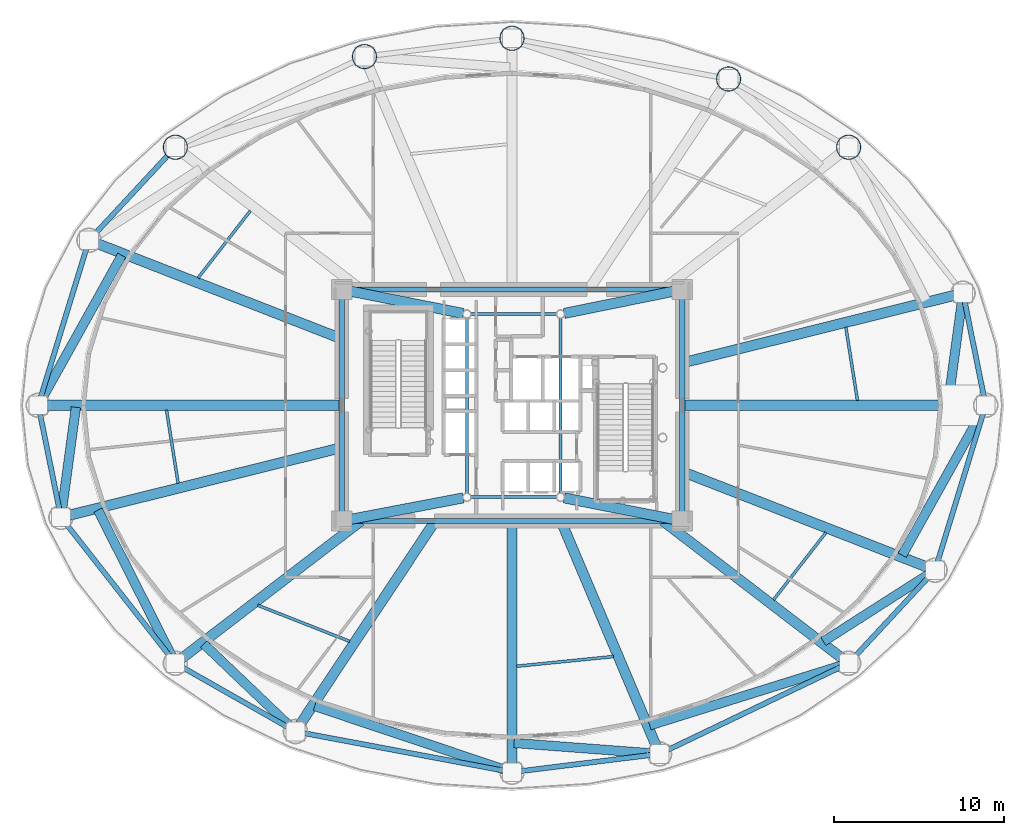
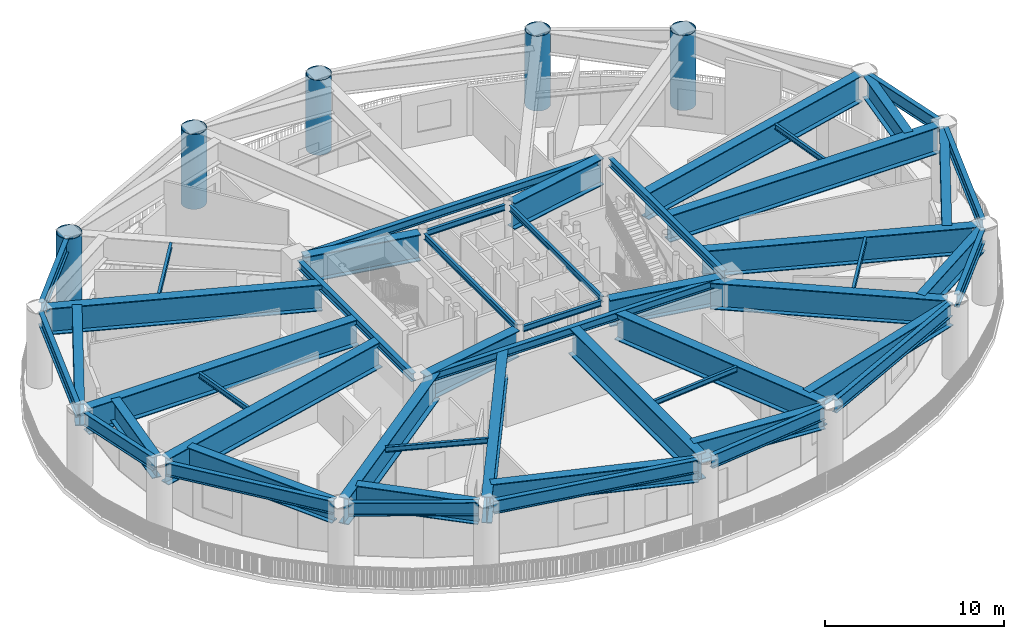
# One storey, part 3 of 15: 50 beams, 5 columns.
"""IFC4 building model written with IfcOpenShell, lengths in metres."""

from ifc_helpers import new_model, si_unit, direction, frame, origin, origin_2d, place, context, subcontext, project, spatial, hollow_circle, i_section, extrude, material, material_profile, profile_set, type_object, element, save


model = new_model("IFC4")

# Units and contexts
model_context = context("Model", 3, precision=1e-05, world=origin(), true_north=direction((0.0, 1.0)))
body_context = subcontext(model_context, "Body", "Model", "MODEL_VIEW")
ifc_project = project(units=[si_unit("LENGTHUNIT", "METRE"), si_unit("AREAUNIT", "SQUARE_METRE"), si_unit("VOLUMEUNIT", "CUBIC_METRE"), si_unit("PLANEANGLEUNIT", "RADIAN"), si_unit("MASSUNIT", "GRAM", prefix="KILO")], contexts=[model_context])

# Site, building, storey
site_placement = place(None, origin())
site = spatial("IfcSite", under=ifc_project, at=site_placement, CompositionType="ELEMENT")
building_placement = place(site_placement, origin())
building = spatial("IfcBuilding", under=site, at=building_placement, Name="Linh Dai School and Residence Tower", CompositionType="ELEMENT")
storey_placement = place(building_placement, frame((0.0, 0.0, 145.949951171875)))
storey = spatial("IfcBuildingStorey", under=building, at=storey_placement, Name="L35", CompositionType="ELEMENT", Elevation=145.949951171875)

# Columns
ifc_material = material(Name="Structural Steel S355JR", Category="steel")
ifc_material_profile_1 = material_profile(ifc_material, hollow_circle(Radius=0.72509765625, WallThickness=0.0419921875, at=origin_2d()), Name="CHS 1450x42")
ifc_profile_set_1 = profile_set([ifc_material_profile_1], Name="Structural Steel S355JR")
column_type = type_object("IfcColumnType", Name="COL-MC3", PredefinedType="COLUMN", material=ifc_profile_set_1)
for number, where, z_axis, x_axis, name in (
    (1, (55.772705078125, 42.155517578125, 0.0), (0.0, 0.0, 1.0), (1.0, 0.0, 0.0), "L35 Perimeter CFT Mega-Column MC03"),
    (2, (48.721923828125, 46.1650390625, 0.0), (0.0, 0.0, 1.0), (1.0, 0.0, 0.0), "L35 Perimeter CFT Mega-Column MC04"),
    (3, (36.0, 48.554931640625, 0.0), (0.0, 0.0, 1.0), (1.0, 0.0, 0.0), "L35 Perimeter CFT Mega-Column MC05"),
    (4, (27.33447265625, 47.480712890625, 0.0), (0.0, 0.0, 1.0), (1.0, 0.0, 0.0), "L35 Perimeter CFT Mega-Column MC06"),
    (5, (16.227294921875, 42.155517578125, 0.0), (0.0, 0.0, 1.0), (1.0, 0.0, 0.0), "L35 Perimeter CFT Mega-Column MC07"),
):
    element("IfcColumn", number, at=place(storey_placement, frame(where, z_axis=z_axis, x_axis=x_axis)), inside=storey, type_object=column_type, Name=name, PredefinedType="COLUMN", context=body_context, shape_type="SweptSolid", body=[
        extrude(hollow_circle(Radius=0.72509765625, WallThickness=0.0419921875, at=origin_2d()), origin(), (0.0, 0.0, 1.0), 5.10009765625),
    ])

# Beams
ifc_material_profile_2 = material_profile(ifc_material, i_section(OverallWidth=0.300048828125, OverallDepth=0.550048828125, WebThickness=0.014892578125, FlangeThickness=0.029052734375, FilletRadius=0.027099609375, at=origin_2d()), Name="HEB 550")
ifc_profile_set_2 = profile_set([ifc_material_profile_2], Name="Structural Steel S355JR")
beam_type_1 = type_object("IfcBeamType", Name="BM-RG55", PredefinedType="BEAM", material=ifc_profile_set_2)
beam_1_placement = place(storey_placement, frame((26.419921875, 20.199951171875, 4.824951171875), z_axis=(1.0, 0.0, 0.0), x_axis=(0.0, 1.0, 0.0)))
element("IfcBeam", 6, at=beam_1_placement, inside=storey, type_object=beam_type_1, Name="L35 Core Perimeter Coupling Girder 1", PredefinedType="BEAM", context=body_context, shape_type="SweptSolid", body=[
    extrude(i_section(OverallWidth=0.300048828125, OverallDepth=0.550048828125, WebThickness=0.014892578125, FlangeThickness=0.029052734375, FilletRadius=0.027099609375, at=origin_2d()), origin(), (0.0, 0.0, 1.0), 19.16015625),
])
beam_2_placement = place(storey_placement, frame((46.0, 20.6201171875, 4.824951171875), z_axis=(0.0, 1.0, 0.0), x_axis=(-1.0, 0.0, 0.0)))
element("IfcBeam", 7, at=beam_2_placement, inside=storey, type_object=beam_type_1, Name="L35 Core Perimeter Coupling Girder 2", PredefinedType="BEAM", context=body_context, shape_type="SweptSolid", body=[
    extrude(i_section(OverallWidth=0.300048828125, OverallDepth=0.550048828125, WebThickness=0.014892578125, FlangeThickness=0.029052734375, FilletRadius=0.027099609375, at=origin_2d()), origin(), (0.0, 0.0, 1.0), 12.759765625),
])
beam_3_placement = place(storey_placement, frame((45.580078125, 33.800048828125, 4.824951171875), z_axis=(-1.0, 0.0, 0.0), x_axis=(0.0, -1.0, 0.0)))
element("IfcBeam", 8, at=beam_3_placement, inside=storey, type_object=beam_type_1, Name="L35 Core Perimeter Coupling Girder 3", PredefinedType="BEAM", context=body_context, shape_type="SweptSolid", body=[
    extrude(i_section(OverallWidth=0.300048828125, OverallDepth=0.550048828125, WebThickness=0.014892578125, FlangeThickness=0.029052734375, FilletRadius=0.027099609375, at=origin_2d()), origin(), (0.0, 0.0, 1.0), 19.16015625),
])
beam_4_placement = place(storey_placement, frame((26.0, 33.3798828125, 4.824951171875), z_axis=(0.0, -1.0, 0.0), x_axis=(1.0, 0.0, 0.0)))
element("IfcBeam", 9, at=beam_4_placement, inside=storey, type_object=beam_type_1, Name="L35 Core Perimeter Coupling Girder 4", PredefinedType="BEAM", context=body_context, shape_type="SweptSolid", body=[
    extrude(i_section(OverallWidth=0.300048828125, OverallDepth=0.550048828125, WebThickness=0.014892578125, FlangeThickness=0.029052734375, FilletRadius=0.027099609375, at=origin_2d()), origin(), (0.0, 0.0, 1.0), 12.759765625),
])
ifc_material_profile_3 = material_profile(ifc_material, i_section(OverallWidth=0.300048828125, OverallDepth=0.89990234375, WebThickness=0.0185546875, FlangeThickness=0.034912109375, FilletRadius=0.030029296875, at=origin_2d()), Name="HEB 900")
ifc_profile_set_3 = profile_set([ifc_material_profile_3], Name="Structural Steel S355JR")
beam_type_2 = type_object("IfcBeamType", Name="BM-RG9", PredefinedType="BEAM", material=ifc_profile_set_3)
beam_5_placement = place(storey_placement, frame((63.74169921875, 27.41162109375, 4.650146484375), z_axis=(-0.198441254313, 0.980112783605, 0.0), x_axis=(-0.980112783605, -0.198441254313, 0.0)))
element("IfcBeam", 10, at=beam_5_placement, inside=storey, type_object=beam_type_2, Name="L35 Perimeter Elliptical Ring Beam 01", PredefinedType="BEAM", context=body_context, shape_type="SweptSolid", body=[
    extrude(i_section(OverallWidth=0.300048828125, OverallDepth=0.89990234375, WebThickness=0.0185546875, FlangeThickness=0.034912109375, FilletRadius=0.030029296875, at=origin_2d()), origin(), (0.0, 0.0, 1.0), 5.874755859375),
])
beam_6_placement = place(storey_placement, frame((15.941650390625, 41.84765625, 4.650146484375), z_axis=(-0.680384623752, -0.732855213369, 0.0), x_axis=(0.732855213369, -0.680384623752, 0.0)))
element("IfcBeam", 11, at=beam_6_placement, inside=storey, type_object=beam_type_2, Name="L35 Perimeter Elliptical Ring Beam 07", PredefinedType="BEAM", context=body_context, shape_type="SweptSolid", body=[
    extrude(i_section(OverallWidth=0.300048828125, OverallDepth=0.89990234375, WebThickness=0.0185546875, FlangeThickness=0.034912109375, FilletRadius=0.030029296875, at=origin_2d()), origin(), (0.0, 0.0, 1.0), 6.62109375),
])
beam_7_placement = place(storey_placement, frame((11.027587890625, 36.2861328125, 4.650146484375), z_axis=(-0.29364097848, -0.95591577859, 0.0), x_axis=(0.95591577859, -0.29364097848, 0.0)))
element("IfcBeam", 12, at=beam_7_placement, inside=storey, type_object=beam_type_2, Name="L35 Perimeter Elliptical Ring Beam 08", PredefinedType="BEAM", context=body_context, shape_type="SweptSolid", body=[
    extrude(i_section(OverallWidth=0.300048828125, OverallDepth=0.89990234375, WebThickness=0.0185546875, FlangeThickness=0.034912109375, FilletRadius=0.030029296875, at=origin_2d()), origin(), (0.0, 0.0, 1.0), 9.29443359375),
])
beam_8_placement = place(storey_placement, frame((8.25830078125, 26.58837890625, 4.650146484375), z_axis=(0.198441254313, -0.980112783605, 0.0), x_axis=(0.980112783605, 0.198441254313, 0.0)))
element("IfcBeam", 13, at=beam_8_placement, inside=storey, type_object=beam_type_2, Name="L35 Perimeter Elliptical Ring Beam 09", PredefinedType="BEAM", context=body_context, shape_type="SweptSolid", body=[
    extrude(i_section(OverallWidth=0.300048828125, OverallDepth=0.89990234375, WebThickness=0.0185546875, FlangeThickness=0.034912109375, FilletRadius=0.030029296875, at=origin_2d()), origin(), (0.0, 0.0, 1.0), 5.874755859375),
])
beam_9_placement = place(storey_placement, frame((9.766357421875, 20.08837890625, 4.650146484375), z_axis=(0.616854830973, -0.787076945098, 0.0), x_axis=(0.787076945098, 0.616854830973, 0.0)))
element("IfcBeam", 14, at=beam_9_placement, inside=storey, type_object=beam_type_2, Name="L35 Perimeter Elliptical Ring Beam 10", PredefinedType="BEAM", context=body_context, shape_type="SweptSolid", body=[
    extrude(i_section(OverallWidth=0.300048828125, OverallDepth=0.89990234375, WebThickness=0.0185546875, FlangeThickness=0.034912109375, FilletRadius=0.030029296875, at=origin_2d()), origin(), (0.0, 0.0, 1.0), 10.053955078125),
])
beam_10_placement = place(storey_placement, frame((16.592529296875, 11.636962890625, 4.650146484375), z_axis=(0.86927031475, -0.494337050902, 0.0), x_axis=(0.494337050902, 0.86927031475, 0.0)))
element("IfcBeam", 15, at=beam_10_placement, inside=storey, type_object=beam_type_2, Name="L35 Perimeter Elliptical Ring Beam 11", PredefinedType="BEAM", context=body_context, shape_type="SweptSolid", body=[
    extrude(i_section(OverallWidth=0.300048828125, OverallDepth=0.89990234375, WebThickness=0.0185546875, FlangeThickness=0.034912109375, FilletRadius=0.030029296875, at=origin_2d()), origin(), (0.0, 0.0, 1.0), 7.270751953125),
])
beam_11_placement = place(storey_placement, frame((23.69091796875, 7.75732421875, 4.650146484375), z_axis=(0.982807507457, -0.184633158685, 0.0), x_axis=(0.184633158685, 0.982807507457, 0.0)))
element("IfcBeam", 16, at=beam_11_placement, inside=storey, type_object=beam_type_2, Name="L35 Perimeter Elliptical Ring Beam 12", PredefinedType="BEAM", context=body_context, shape_type="SweptSolid", body=[
    extrude(i_section(OverallWidth=0.300048828125, OverallDepth=0.89990234375, WebThickness=0.0185546875, FlangeThickness=0.034912109375, FilletRadius=0.030029296875, at=origin_2d()), origin(), (0.0, 0.0, 1.0), 12.104248046875),
])
beam_12_placement = place(storey_placement, frame((36.416748046875, 5.49658203125, 4.650146484375), z_axis=(0.992399234854, 0.123059979933, 0.0), x_axis=(-0.123059979933, 0.992399234854, 0.0)))
element("IfcBeam", 17, at=beam_12_placement, inside=storey, type_object=beam_type_2, Name="L35 Perimeter Elliptical Ring Beam 13", PredefinedType="BEAM", context=body_context, shape_type="SweptSolid", body=[
    extrude(i_section(OverallWidth=0.300048828125, OverallDepth=0.89990234375, WebThickness=0.0185546875, FlangeThickness=0.034912109375, FilletRadius=0.030029296875, at=origin_2d()), origin(), (0.0, 0.0, 1.0), 7.89208984375),
])
beam_13_placement = place(storey_placement, frame((45.044189453125, 6.700927734375, 4.650146484375), z_axis=(0.901715153312, 0.432330640005, 0.0), x_axis=(-0.432330640005, 0.901715153312, 0.0)))
element("IfcBeam", 18, at=beam_13_placement, inside=storey, type_object=beam_type_2, Name="L35 Perimeter Elliptical Ring Beam 14", PredefinedType="BEAM", context=body_context, shape_type="SweptSolid", body=[
    extrude(i_section(OverallWidth=0.300048828125, OverallDepth=0.89990234375, WebThickness=0.0185546875, FlangeThickness=0.034912109375, FilletRadius=0.030029296875, at=origin_2d()), origin(), (0.0, 0.0, 1.0), 11.477783203125),
])
beam_14_placement = place(storey_placement, frame((56.058349609375, 12.15234375, 4.650146484375), z_axis=(0.680384623752, 0.732855213369, 0.0), x_axis=(-0.732855213369, 0.680384623752, 0.0)))
element("IfcBeam", 19, at=beam_14_placement, inside=storey, type_object=beam_type_2, Name="L35 Perimeter Elliptical Ring Beam 15", PredefinedType="BEAM", context=body_context, shape_type="SweptSolid", body=[
    extrude(i_section(OverallWidth=0.300048828125, OverallDepth=0.89990234375, WebThickness=0.0185546875, FlangeThickness=0.034912109375, FilletRadius=0.030029296875, at=origin_2d()), origin(), (0.0, 0.0, 1.0), 6.62109375),
])
beam_15_placement = place(storey_placement, frame((60.972412109375, 17.7138671875, 4.650146484375), z_axis=(0.29364097848, 0.95591577859, 0.0), x_axis=(-0.95591577859, 0.29364097848, 0.0)))
element("IfcBeam", 20, at=beam_15_placement, inside=storey, type_object=beam_type_2, Name="L35 Perimeter Elliptical Ring Beam 16", PredefinedType="BEAM", context=body_context, shape_type="SweptSolid", body=[
    extrude(i_section(OverallWidth=0.300048828125, OverallDepth=0.89990234375, WebThickness=0.0185546875, FlangeThickness=0.034912109375, FilletRadius=0.030029296875, at=origin_2d()), origin(), (0.0, 0.0, 1.0), 9.29443359375),
])
ifc_material_profile_4 = material_profile(ifc_material, i_section(OverallWidth=0.169921875, OverallDepth=0.360107421875, WebThickness=0.008056640625, FlangeThickness=0.0126953125, FilletRadius=0.01806640625, at=origin_2d()), Name="IPE 360")
ifc_profile_set_4 = profile_set([ifc_material_profile_4], Name="Structural Steel S355JR")
beam_type_3 = type_object("IfcBeamType", Name="BM-SB36", PredefinedType="BEAM", material=ifc_profile_set_4)
beam_16_placement = place(storey_placement, frame((56.29443359375, 27.276611328125, 4.920166015625), z_axis=(-0.15702322433, 0.987594910386, 0.0), x_axis=(-0.987594910386, -0.15702322433, 0.0)))
element("IfcBeam", 21, at=beam_16_placement, inside=storey, type_object=beam_type_3, Name="L35 Secondary Circumferential Floor Beam 01", PredefinedType="BEAM", context=body_context, shape_type="SweptSolid", body=[
    extrude(i_section(OverallWidth=0.169921875, OverallDepth=0.360107421875, WebThickness=0.008056640625, FlangeThickness=0.0126953125, FilletRadius=0.01806640625, at=origin_2d()), origin(), (0.0, 0.0, 1.0), 4.361328125),
])
beam_17_placement = place(storey_placement, frame((20.6337890625, 38.42529296875, 4.920166015625), z_axis=(-0.614359367532, -0.789026341465, 0.0), x_axis=(0.789026341465, -0.614359367532, 0.0)))
element("IfcBeam", 22, at=beam_17_placement, inside=storey, type_object=beam_type_3, Name="L35 Secondary Circumferential Floor Beam 04", PredefinedType="BEAM", context=body_context, shape_type="SweptSolid", body=[
    extrude(i_section(OverallWidth=0.169921875, OverallDepth=0.360107421875, WebThickness=0.008056640625, FlangeThickness=0.0126953125, FilletRadius=0.01806640625, at=origin_2d()), origin(), (0.0, 0.0, 1.0), 5.00390625),
])
beam_18_placement = place(storey_placement, frame((15.70556640625, 26.723388671875, 4.920166015625), z_axis=(0.15702322433, -0.987594910386, 0.0), x_axis=(0.987594910386, 0.15702322433, 0.0)))
element("IfcBeam", 23, at=beam_18_placement, inside=storey, type_object=beam_type_3, Name="L35 Secondary Circumferential Floor Beam 05", PredefinedType="BEAM", context=body_context, shape_type="SweptSolid", body=[
    extrude(i_section(OverallWidth=0.169921875, OverallDepth=0.360107421875, WebThickness=0.008056640625, FlangeThickness=0.0126953125, FilletRadius=0.01806640625, at=origin_2d()), origin(), (0.0, 0.0, 1.0), 4.361328125),
])
beam_19_placement = place(storey_placement, frame((21.06640625, 15.25146484375, 4.920166015625), z_axis=(0.930749446939, -0.365657581655, 0.0), x_axis=(0.365657581655, 0.930749446939, 0.0)))
element("IfcBeam", 24, at=beam_19_placement, inside=storey, type_object=beam_type_3, Name="L35 Secondary Circumferential Floor Beam 06", PredefinedType="BEAM", context=body_context, shape_type="SweptSolid", body=[
    extrude(i_section(OverallWidth=0.169921875, OverallDepth=0.360107421875, WebThickness=0.008056640625, FlangeThickness=0.0126953125, FilletRadius=0.01806640625, at=origin_2d()), origin(), (0.0, 0.0, 1.0), 5.800048828125),
])
beam_20_placement = place(storey_placement, frame((36.278564453125, 11.669921875, 4.920166015625), z_axis=(0.995043119756, 0.099444405707, 0.0), x_axis=(-0.099444405707, 0.995043119756, 0.0)))
element("IfcBeam", 25, at=beam_20_placement, inside=storey, type_object=beam_type_3, Name="L35 Secondary Circumferential Floor Beam 07", PredefinedType="BEAM", context=body_context, shape_type="SweptSolid", body=[
    extrude(i_section(OverallWidth=0.169921875, OverallDepth=0.360107421875, WebThickness=0.008056640625, FlangeThickness=0.0126953125, FilletRadius=0.01806640625, at=origin_2d()), origin(), (0.0, 0.0, 1.0), 5.70556640625),
])
beam_21_placement = place(storey_placement, frame((51.3662109375, 15.57470703125, 4.920166015625), z_axis=(0.614359367532, 0.789026341465, 0.0), x_axis=(-0.789026341465, 0.614359367532, 0.0)))
element("IfcBeam", 26, at=beam_21_placement, inside=storey, type_object=beam_type_3, Name="L35 Secondary Circumferential Floor Beam 08", PredefinedType="BEAM", context=body_context, shape_type="SweptSolid", body=[
    extrude(i_section(OverallWidth=0.169921875, OverallDepth=0.360107421875, WebThickness=0.008056640625, FlangeThickness=0.0126953125, FilletRadius=0.01806640625, at=origin_2d()), origin(), (0.0, 0.0, 1.0), 5.00390625),
])
ifc_material_profile_5 = material_profile(ifc_material, i_section(OverallWidth=0.179931640625, OverallDepth=0.39990234375, WebThickness=0.008544921875, FlangeThickness=0.013427734375, FilletRadius=0.02099609375, at=origin_2d()), Name="IPE 400")
ifc_profile_set_5 = profile_set([ifc_material_profile_5], Name="Structural Steel S355JR")
beam_type_4 = type_object("IfcBeamType", Name="BM-SB40", PredefinedType="BEAM", material=ifc_profile_set_5)
beam_22_placement = place(storey_placement, frame((33.573974609375, 21.60009765625, 4.900146484375), z_axis=(1.0, 0.0, 0.0), x_axis=(0.0, 1.0, 0.0)))
element("IfcBeam", 27, at=beam_22_placement, inside=storey, type_object=beam_type_4, Name="L35 Core Mast Pier Tie Beam 1", PredefinedType="BEAM", context=body_context, shape_type="SweptSolid", body=[
    extrude(i_section(OverallWidth=0.179931640625, OverallDepth=0.39990234375, WebThickness=0.008544921875, FlangeThickness=0.013427734375, FilletRadius=0.02099609375, at=origin_2d()), origin(), (0.0, 0.0, 1.0), 5.052001953125),
])
beam_23_placement = place(storey_placement, frame((38.85009765625, 21.823974609375, 4.900146484375), z_axis=(0.0, 1.0, 0.0), x_axis=(-1.0, 0.0, 0.0)))
element("IfcBeam", 28, at=beam_23_placement, inside=storey, type_object=beam_type_4, Name="L35 Core Mast Pier Tie Beam 2", PredefinedType="BEAM", context=body_context, shape_type="SweptSolid", body=[
    extrude(i_section(OverallWidth=0.179931640625, OverallDepth=0.39990234375, WebThickness=0.008544921875, FlangeThickness=0.013427734375, FilletRadius=0.02099609375, at=origin_2d()), origin(), (0.0, 0.0, 1.0), 10.302001953125),
])
beam_24_placement = place(storey_placement, frame((38.6259765625, 32.35009765625, 4.900146484375), z_axis=(-1.0, 0.0, 0.0), x_axis=(0.0, -1.0, 0.0)))
element("IfcBeam", 29, at=beam_24_placement, inside=storey, type_object=beam_type_4, Name="L35 Core Mast Pier Tie Beam 3", PredefinedType="BEAM", context=body_context, shape_type="SweptSolid", body=[
    extrude(i_section(OverallWidth=0.179931640625, OverallDepth=0.39990234375, WebThickness=0.008544921875, FlangeThickness=0.013427734375, FilletRadius=0.02099609375, at=origin_2d()), origin(), (0.0, 0.0, 1.0), 5.052001953125),
])
beam_25_placement = place(storey_placement, frame((33.35009765625, 32.1259765625, 4.900146484375), z_axis=(0.0, -1.0, 0.0), x_axis=(1.0, 0.0, 0.0)))
element("IfcBeam", 30, at=beam_25_placement, inside=storey, type_object=beam_type_4, Name="L35 Core Mast Pier Tie Beam 4", PredefinedType="BEAM", context=body_context, shape_type="SweptSolid", body=[
    extrude(i_section(OverallWidth=0.179931640625, OverallDepth=0.39990234375, WebThickness=0.008544921875, FlangeThickness=0.013427734375, FilletRadius=0.02099609375, at=origin_2d()), origin(), (0.0, 0.0, 1.0), 10.302001953125),
])
ifc_material_profile_6 = material_profile(ifc_material, i_section(OverallWidth=0.550048828125, OverallDepth=1.5, WebThickness=0.028076171875, FlangeThickness=0.050048828125, at=origin_2d()), Name="PG 1500x550x28x50")
ifc_profile_set_6 = profile_set([ifc_material_profile_6], Name="Structural Steel S355JR")
beam_type_5 = type_object("IfcBeamType", Name="BM-TG15", PredefinedType="BEAM", material=ifc_profile_set_6)
beam_26_placement = place(storey_placement, frame((61.6162109375, 27.118896484375, 4.35009765625), z_axis=(0.134409624915, 0.990925856323, 0.0), x_axis=(-0.990925856323, 0.134409624915, 0.0)))
element("IfcBeam", 31, at=beam_26_placement, inside=storey, type_object=beam_type_5, Name="L35 Setback Diaphragm Transfer Girder 01", PredefinedType="BEAM", context=body_context, shape_type="SweptSolid", body=[
    extrude(i_section(OverallWidth=0.550048828125, OverallDepth=1.5, WebThickness=0.028076171875, FlangeThickness=0.050048828125, at=origin_2d()), origin(), (0.0, 0.0, 1.0), 6.101318359375),
])
beam_27_placement = place(storey_placement, frame((13.0791015625, 35.806396484375, 4.35009765625), z_axis=(-0.486522502911, -0.873668045748, 0.0), x_axis=(0.873668045748, -0.486522502911, 0.0)))
element("IfcBeam", 32, at=beam_27_placement, inside=storey, type_object=beam_type_5, Name="L35 Setback Diaphragm Transfer Girder 08", PredefinedType="BEAM", context=body_context, shape_type="SweptSolid", body=[
    extrude(i_section(OverallWidth=0.550048828125, OverallDepth=1.5, WebThickness=0.028076171875, FlangeThickness=0.050048828125, at=origin_2d()), origin(), (0.0, 0.0, 1.0), 9.659912109375),
])
beam_28_placement = place(storey_placement, frame((10.3837890625, 26.881103515625, 4.35009765625), z_axis=(-0.134409624915, -0.990925856323, 0.0), x_axis=(0.990925856323, -0.134409624915, 0.0)))
element("IfcBeam", 33, at=beam_28_placement, inside=storey, type_object=beam_type_5, Name="L35 Setback Diaphragm Transfer Girder 09", PredefinedType="BEAM", context=body_context, shape_type="SweptSolid", body=[
    extrude(i_section(OverallWidth=0.550048828125, OverallDepth=1.5, WebThickness=0.028076171875, FlangeThickness=0.050048828125, at=origin_2d()), origin(), (0.0, 0.0, 1.0), 6.101318359375),
])
beam_29_placement = place(storey_placement, frame((11.6796875, 20.83935546875, 4.35009765625), z_axis=(0.451202753372, -0.892421467329, 0.0), x_axis=(0.892421467329, 0.451202753372, 0.0)))
element("IfcBeam", 34, at=beam_29_placement, inside=storey, type_object=beam_type_5, Name="L35 Setback Diaphragm Transfer Girder 10", PredefinedType="BEAM", context=body_context, shape_type="SweptSolid", body=[
    extrude(i_section(OverallWidth=0.550048828125, OverallDepth=1.5, WebThickness=0.028076171875, FlangeThickness=0.050048828125, at=origin_2d()), origin(), (0.0, 0.0, 1.0), 9.658935546875),
])
beam_30_placement = place(storey_placement, frame((17.894287109375, 12.975341796875, 4.35009765625), z_axis=(0.723271891006, -0.690563372675, 0.0), x_axis=(0.690563372675, 0.723271891006, 0.0)))
element("IfcBeam", 35, at=beam_30_placement, inside=storey, type_object=beam_type_5, Name="L35 Setback Diaphragm Transfer Girder 11", PredefinedType="BEAM", context=body_context, shape_type="SweptSolid", body=[
    extrude(i_section(OverallWidth=0.550048828125, OverallDepth=1.5, WebThickness=0.028076171875, FlangeThickness=0.050048828125, at=origin_2d()), origin(), (0.0, 0.0, 1.0), 7.023681640625),
])
beam_31_placement = place(storey_placement, frame((24.408203125, 9.3310546875, 4.35009765625), z_axis=(0.948142176824, -0.31784652354, 0.0), x_axis=(0.31784652354, 0.948142176824, 0.0)))
element("IfcBeam", 36, at=beam_31_placement, inside=storey, type_object=beam_type_5, Name="L35 Setback Diaphragm Transfer Girder 12", PredefinedType="BEAM", context=body_context, shape_type="SweptSolid", body=[
    extrude(i_section(OverallWidth=0.550048828125, OverallDepth=1.5, WebThickness=0.028076171875, FlangeThickness=0.050048828125, at=origin_2d()), origin(), (0.0, 0.0, 1.0), 11.805908203125),
])
beam_32_placement = place(storey_placement, frame((36.11962890625, 7.1611328125, 4.35009765625), z_axis=(0.997191876577, -0.074888993104, 0.0), x_axis=(0.074888993104, 0.997191876577, 0.0)))
element("IfcBeam", 37, at=beam_32_placement, inside=storey, type_object=beam_type_5, Name="L35 Setback Diaphragm Transfer Girder 13", PredefinedType="BEAM", context=body_context, shape_type="SweptSolid", body=[
    extrude(i_section(OverallWidth=0.550048828125, OverallDepth=1.5, WebThickness=0.028076171875, FlangeThickness=0.050048828125, at=origin_2d()), origin(), (0.0, 0.0, 1.0), 8.150146484375),
])
beam_33_placement = place(storey_placement, frame((44.087890625, 8.1943359375, 4.35009765625), z_axis=(0.954511942635, 0.298172687158, 0.0), x_axis=(-0.298172687158, 0.954511942635, 0.0)))
element("IfcBeam", 38, at=beam_33_placement, inside=storey, type_object=beam_type_5, Name="L35 Setback Diaphragm Transfer Girder 14", PredefinedType="BEAM", context=body_context, shape_type="SweptSolid", body=[
    extrude(i_section(OverallWidth=0.550048828125, OverallDepth=1.5, WebThickness=0.028076171875, FlangeThickness=0.050048828125, at=origin_2d()), origin(), (0.0, 0.0, 1.0), 11.82177734375),
])
beam_34_placement = place(storey_placement, frame((54.293701171875, 13.122802734375, 4.35009765625), z_axis=(0.842597166342, 0.538544348473, 0.0), x_axis=(-0.538544348473, 0.842597166342, 0.0)))
element("IfcBeam", 39, at=beam_34_placement, inside=storey, type_object=beam_type_5, Name="L35 Setback Diaphragm Transfer Girder 15", PredefinedType="BEAM", context=body_context, shape_type="SweptSolid", body=[
    extrude(i_section(OverallWidth=0.550048828125, OverallDepth=1.5, WebThickness=0.028076171875, FlangeThickness=0.050048828125, at=origin_2d()), origin(), (0.0, 0.0, 1.0), 7.35986328125),
])
beam_35_placement = place(storey_placement, frame((58.9208984375, 18.193603515625, 4.35009765625), z_axis=(0.486522502911, 0.873668045748, 0.0), x_axis=(-0.873668045748, 0.486522502911, 0.0)))
element("IfcBeam", 40, at=beam_35_placement, inside=storey, type_object=beam_type_5, Name="L35 Setback Diaphragm Transfer Girder 16", PredefinedType="BEAM", context=body_context, shape_type="SweptSolid", body=[
    extrude(i_section(OverallWidth=0.550048828125, OverallDepth=1.5, WebThickness=0.028076171875, FlangeThickness=0.050048828125, at=origin_2d()), origin(), (0.0, 0.0, 1.0), 9.659912109375),
])
ifc_material_profile_7 = material_profile(ifc_material, i_section(OverallWidth=0.60009765625, OverallDepth=1.800048828125, WebThickness=0.030029296875, FlangeThickness=0.054931640625, at=origin_2d()), Name="PG 1800x600x30x55")
ifc_profile_set_7 = profile_set([ifc_material_profile_7], Name="Structural Steel S355JR")
beam_type_6 = type_object("IfcBeamType", Name="BM-TG18", PredefinedType="BEAM", material=ifc_profile_set_7)
beam_36_placement = place(storey_placement, frame((46.0, 27.0, 4.199951171875), z_axis=(1.0, 0.0, 0.0), x_axis=(0.0, 1.0, 0.0)))
element("IfcBeam", 41, at=beam_36_placement, inside=storey, type_object=beam_type_6, Name="L35 Radial Setback Transfer Girder 01", PredefinedType="BEAM", context=body_context, shape_type="SweptSolid", body=[
    extrude(i_section(OverallWidth=0.60009765625, OverallDepth=1.800048828125, WebThickness=0.030029296875, FlangeThickness=0.054931640625, at=origin_2d()), origin(), (0.0, 0.0, 1.0), 17.405029296875),
])
beam_37_placement = place(storey_placement, frame((46.0, 29.484130859375, 4.199951171875), z_axis=(0.970505338376, 0.241079630379, 0.0), x_axis=(-0.241079630379, 0.970505338376, 0.0)))
element("IfcBeam", 42, at=beam_37_placement, inside=storey, type_object=beam_type_6, Name="L35 Radial Setback Transfer Girder 02", PredefinedType="BEAM", context=body_context, shape_type="SweptSolid", body=[
    extrude(i_section(OverallWidth=0.60009765625, OverallDepth=1.800048828125, WebThickness=0.030029296875, FlangeThickness=0.054931640625, at=origin_2d()), origin(), (0.0, 0.0, 1.0), 16.57373046875),
])
beam_38_placement = place(storey_placement, frame((26.0, 30.8984375, 4.199951171875), z_axis=(-0.931699338449, 0.363230426498, 0.0), x_axis=(-0.363230426498, -0.931699338449, 0.0)))
element("IfcBeam", 43, at=beam_38_placement, inside=storey, type_object=beam_type_6, Name="L35 Radial Setback Transfer Girder 08", PredefinedType="BEAM", context=body_context, shape_type="SweptSolid", body=[
    extrude(i_section(OverallWidth=0.60009765625, OverallDepth=1.800048828125, WebThickness=0.030029296875, FlangeThickness=0.054931640625, at=origin_2d()), origin(), (0.0, 0.0, 1.0), 15.517578125),
])
beam_39_placement = place(storey_placement, frame((26.0, 27.0, 4.199951171875), z_axis=(-1.0, 0.0, 0.0), x_axis=(0.0, -1.0, 0.0)))
element("IfcBeam", 44, at=beam_39_placement, inside=storey, type_object=beam_type_6, Name="L35 Radial Setback Transfer Girder 09", PredefinedType="BEAM", context=body_context, shape_type="SweptSolid", body=[
    extrude(i_section(OverallWidth=0.60009765625, OverallDepth=1.800048828125, WebThickness=0.030029296875, FlangeThickness=0.054931640625, at=origin_2d()), origin(), (0.0, 0.0, 1.0), 17.405029296875),
])
beam_40_placement = place(storey_placement, frame((26.0, 24.515869140625, 4.199951171875), z_axis=(-0.970505338376, -0.241079630379, 0.0), x_axis=(0.241079630379, -0.970505338376, 0.0)))
element("IfcBeam", 45, at=beam_40_placement, inside=storey, type_object=beam_type_6, Name="L35 Radial Setback Transfer Girder 10", PredefinedType="BEAM", context=body_context, shape_type="SweptSolid", body=[
    extrude(i_section(OverallWidth=0.60009765625, OverallDepth=1.800048828125, WebThickness=0.030029296875, FlangeThickness=0.054931640625, at=origin_2d()), origin(), (0.0, 0.0, 1.0), 16.57373046875),
])
beam_41_placement = place(storey_placement, frame((27.12841796875, 20.199951171875, 4.199951171875), z_axis=(-0.793678660795, -0.608337228352, 0.0), x_axis=(0.608337228352, -0.793678660795, 0.0)))
element("IfcBeam", 46, at=beam_41_placement, inside=storey, type_object=beam_type_6, Name="L35 Radial Setback Transfer Girder 11", PredefinedType="BEAM", context=body_context, shape_type="SweptSolid", body=[
    extrude(i_section(OverallWidth=0.60009765625, OverallDepth=1.800048828125, WebThickness=0.030029296875, FlangeThickness=0.054931640625, at=origin_2d()), origin(), (0.0, 0.0, 1.0), 13.314697265625),
])
beam_42_placement = place(storey_placement, frame((31.486083984375, 20.199951171875, 4.199951171875), z_axis=(-0.553054392401, -0.833145148846, 0.0), x_axis=(0.833145148846, -0.553054392401, 0.0)))
element("IfcBeam", 47, at=beam_42_placement, inside=storey, type_object=beam_type_6, Name="L35 Radial Setback Transfer Girder 12", PredefinedType="BEAM", context=body_context, shape_type="SweptSolid", body=[
    extrude(i_section(OverallWidth=0.60009765625, OverallDepth=1.800048828125, WebThickness=0.030029296875, FlangeThickness=0.054931640625, at=origin_2d()), origin(), (0.0, 0.0, 1.0), 14.42138671875),
])
beam_43_placement = place(storey_placement, frame((36.0, 20.199951171875, 4.199951171875), z_axis=(0.0, -1.0, 0.0), x_axis=(1.0, 0.0, 0.0)))
element("IfcBeam", 48, at=beam_43_placement, inside=storey, type_object=beam_type_6, Name="L35 Radial Setback Transfer Girder 13", PredefinedType="BEAM", context=body_context, shape_type="SweptSolid", body=[
    extrude(i_section(OverallWidth=0.60009765625, OverallDepth=1.800048828125, WebThickness=0.030029296875, FlangeThickness=0.054931640625, at=origin_2d()), origin(), (0.0, 0.0, 1.0), 14.3349609375),
])
beam_44_placement = place(storey_placement, frame((38.877197265625, 20.199951171875, 4.199951171875), z_axis=(0.389669233739, -0.920954878524, 0.0), x_axis=(0.920954878524, 0.389669233739, 0.0)))
element("IfcBeam", 49, at=beam_44_placement, inside=storey, type_object=beam_type_6, Name="L35 Radial Setback Transfer Girder 14", PredefinedType="BEAM", context=body_context, shape_type="SweptSolid", body=[
    extrude(i_section(OverallWidth=0.60009765625, OverallDepth=1.800048828125, WebThickness=0.030029296875, FlangeThickness=0.054931640625, at=origin_2d()), origin(), (0.0, 0.0, 1.0), 14.434814453125),
])
beam_45_placement = place(storey_placement, frame((44.87158203125, 20.199951171875, 4.199951171875), z_axis=(0.793678660795, -0.608337228352, 0.0), x_axis=(0.608337228352, 0.793678660795, 0.0)))
element("IfcBeam", 50, at=beam_45_placement, inside=storey, type_object=beam_type_6, Name="L35 Radial Setback Transfer Girder 15", PredefinedType="BEAM", context=body_context, shape_type="SweptSolid", body=[
    extrude(i_section(OverallWidth=0.60009765625, OverallDepth=1.800048828125, WebThickness=0.030029296875, FlangeThickness=0.054931640625, at=origin_2d()), origin(), (0.0, 0.0, 1.0), 13.314697265625),
])
beam_46_placement = place(storey_placement, frame((46.0, 23.1015625, 4.199951171875), z_axis=(0.931699338449, -0.363230426498, 0.0), x_axis=(0.363230426498, 0.931699338449, 0.0)))
element("IfcBeam", 51, at=beam_46_placement, inside=storey, type_object=beam_type_6, Name="L35 Radial Setback Transfer Girder 16", PredefinedType="BEAM", context=body_context, shape_type="SweptSolid", body=[
    extrude(i_section(OverallWidth=0.60009765625, OverallDepth=1.800048828125, WebThickness=0.030029296875, FlangeThickness=0.054931640625, at=origin_2d()), origin(), (0.0, 0.0, 1.0), 15.517578125),
])
beam_47_placement = place(storey_placement, frame((33.1298828125, 21.55810546875, 4.199951171875), z_axis=(-0.982337003886, -0.187120311019, 0.0), x_axis=(0.187120311019, -0.982337003886, 0.0)))
element("IfcBeam", 52, at=beam_47_placement, inside=storey, type_object=beam_type_6, Name="L35 Core Step-In Diagonal Transfer Girder 1", PredefinedType="BEAM", context=body_context, shape_type="SweptSolid", body=[
    extrude(i_section(OverallWidth=0.60009765625, OverallDepth=1.800048828125, WebThickness=0.030029296875, FlangeThickness=0.054931640625, at=origin_2d()), origin(), (0.0, 0.0, 1.0), 6.838134765625),
])
beam_48_placement = place(storey_placement, frame((39.06982421875, 21.556884765625, 4.199951171875), z_axis=(0.981368554414, -0.192134745446, 0.0), x_axis=(0.192134745446, 0.981368554414, 0.0)))
element("IfcBeam", 53, at=beam_48_placement, inside=storey, type_object=beam_type_6, Name="L35 Core Step-In Diagonal Transfer Girder 2", PredefinedType="BEAM", context=body_context, shape_type="SweptSolid", body=[
    extrude(i_section(OverallWidth=0.60009765625, OverallDepth=1.800048828125, WebThickness=0.030029296875, FlangeThickness=0.054931640625, at=origin_2d()), origin(), (0.0, 0.0, 1.0), 6.641845703125),
])
beam_49_placement = place(storey_placement, frame((39.069580078125, 32.39453125, 4.199951171875), z_axis=(0.980049140776, 0.19875533116, 0.0), x_axis=(-0.19875533116, 0.980049140776, 0.0)))
element("IfcBeam", 54, at=beam_49_placement, inside=storey, type_object=beam_type_6, Name="L35 Core Step-In Diagonal Transfer Girder 3", PredefinedType="BEAM", context=body_context, shape_type="SweptSolid", body=[
    extrude(i_section(OverallWidth=0.60009765625, OverallDepth=1.800048828125, WebThickness=0.030029296875, FlangeThickness=0.054931640625, at=origin_2d()), origin(), (0.0, 0.0, 1.0), 6.651611328125),
])
beam_50_placement = place(storey_placement, frame((33.130126953125, 32.393310546875, 4.199951171875), z_axis=(-0.981087482999, 0.193564848828, 0.0), x_axis=(-0.193564848828, -0.981087482999, 0.0)))
element("IfcBeam", 55, at=beam_50_placement, inside=storey, type_object=beam_type_6, Name="L35 Core Step-In Diagonal Transfer Girder 4", PredefinedType="BEAM", context=body_context, shape_type="SweptSolid", body=[
    extrude(i_section(OverallWidth=0.60009765625, OverallDepth=1.800048828125, WebThickness=0.030029296875, FlangeThickness=0.054931640625, at=origin_2d()), origin(), (0.0, 0.0, 1.0), 6.847412109375),
])

save(model, "model.ifc")
